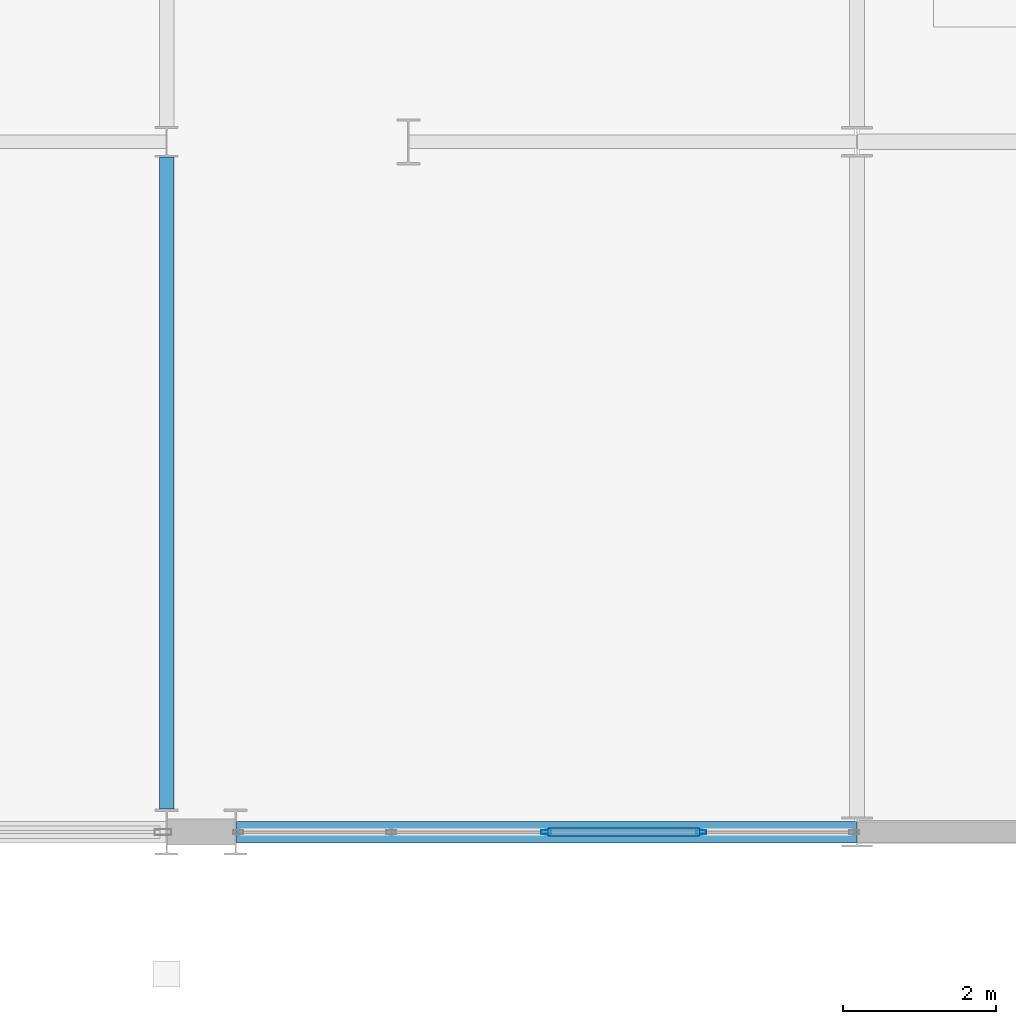
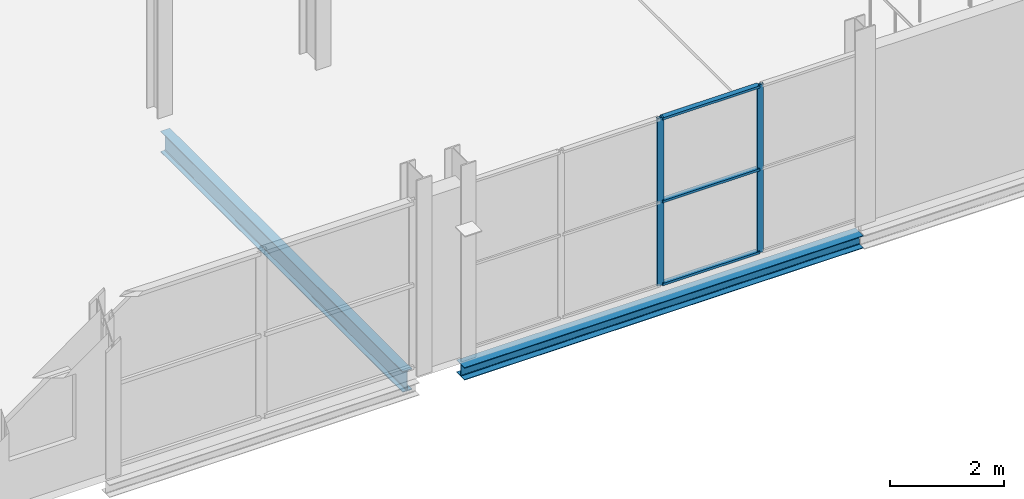
# One storey, part 36 of 88: 5 members, 2 beams, 1 element without a shape of its own.
"""IFC4 building model written with IfcOpenShell, lengths in metres."""

from ifc_helpers import new_model, si_unit, direction, frame, origin, origin_2d, place, context, subcontext, project, spatial, hollow_rectangle, i_section, extrude, material, layer, layer_set, material_profile, profile_set, type_object, element, aggregate, save


model = new_model("IFC4")

# Units and contexts
model_context = context("Model", 3, precision=1e-05, world=origin(), true_north=direction((0.0, 1.0)))
body_context = subcontext(model_context, "Body", "Model", "MODEL_VIEW")
ifc_project = project(units=[si_unit("LENGTHUNIT", "METRE"), si_unit("AREAUNIT", "SQUARE_METRE"), si_unit("VOLUMEUNIT", "CUBIC_METRE"), si_unit("PLANEANGLEUNIT", "RADIAN"), si_unit("MASSUNIT", "GRAM", prefix="KILO")], contexts=[model_context])

# Site, building, storey
site_placement = place(None, origin())
site = spatial("IfcSite", under=ifc_project, at=site_placement, CompositionType="ELEMENT")
building_placement = place(site_placement, origin())
building = spatial("IfcBuilding", under=site, at=building_placement, Name="Deido Ridge Mobility Hub", CompositionType="ELEMENT")
storey_placement = place(building_placement, frame((0.0, 0.0, 16.800048828125)))
storey = spatial("IfcBuildingStorey", under=building, at=storey_placement, Name="L04", CompositionType="ELEMENT", Elevation=16.800048828125)

# Beam
ifc_material_1 = material(Name="Steel S355J2 EN 10025-2", Category="steel")
ifc_material_profile_1 = material_profile(ifc_material_1, i_section(OverallWidth=0.18994140625, OverallDepth=0.449951171875, WebThickness=0.009521484375, FlangeThickness=0.0146484375, FilletRadius=0.02099609375, at=origin_2d()), Name="IPE 450")
ifc_profile_set_1 = profile_set([ifc_material_profile_1], Name="Steel S355J2 EN 10025-2")
beam_type_1 = type_object("IfcBeamType", Name="BM-IPE450", PredefinedType="BEAM", material=ifc_profile_set_1)
beam_1_placement = place(storey_placement, frame((135.0, 0.300048828125, -0.5), z_axis=(0.0, 1.0, 0.0), x_axis=(-1.0, 0.0, 0.0)))
element("IfcBeam", 1, at=beam_1_placement, inside=storey, type_object=beam_type_1, Name="Floor beam B4", PredefinedType="BEAM", context=body_context, shape_type="SweptSolid", body=[
    extrude(i_section(OverallWidth=0.18994140625, OverallDepth=0.449951171875, WebThickness=0.009521484375, FlangeThickness=0.0146484375, FilletRadius=0.02099609375, at=origin_2d()), origin(), (0.0, 0.0, 1.0), 8.5),
])

# Curtain wall, members
ifc_material_2 = material(Name="Anodised aluminium EN AW-6063 T6", Category="aluminium")
ifc_layer = layer(ifc_material_2, 0.1650390625, Name="Anodised aluminium EN AW-6063 T6")
ifc_layer_set = layer_set([ifc_layer], Name="Anodised aluminium EN AW-6063 T6")
curtain_wall_type = type_object("IfcCurtainWallType", Name="CW-UF-1", PredefinedType="USERDEFINED", material=ifc_layer_set)
curtain_wall_placement = place(storey_placement, origin())
curtain_wall = element("IfcCurtainWall", 2, at=curtain_wall_placement, inside=storey, type_object=curtain_wall_type, Name="Unitised curtain wall CW1", ObjectType="UNITISED FACADE", PredefinedType="USERDEFINED")
ifc_material_profile_2 = material_profile(ifc_material_2, hollow_rectangle(XDim=0.050048828125, YDim=0.1298828125, WallThickness=0.00390625, at=origin_2d()), Name="RHS 50x130x4")
ifc_profile_set_2 = profile_set([ifc_material_profile_2], Name="Anodised aluminium EN AW-6063 T6")
member_type_1 = type_object("IfcMemberType", Name="MEM-MUL-50X130", PredefinedType="MULLION", material=ifc_profile_set_2)
member_1_placement = place(storey_placement, frame((139.949462890625, 0.0, 0.0), z_axis=(0.0, 0.0, 1.0), x_axis=(0.0, 1.0, 0.0)))
member_1 = element("IfcMember", 3, at=member_1_placement, type_object=member_type_1, Name="CW1 mullion 3", PredefinedType="MULLION", context=body_context, shape_type="SweptSolid", body=[
    extrude(hollow_rectangle(XDim=0.050048828125, YDim=0.1298828125, WallThickness=0.00390625, at=origin_2d()), origin(), (0.0, 0.0, 1.0), 3.599853515625),
])
member_2_placement = place(storey_placement, frame((141.970458984375, 0.0, 0.0), z_axis=(0.0, 0.0, 1.0), x_axis=(0.0, 1.0, 0.0)))
member_2 = element("IfcMember", 4, at=member_2_placement, type_object=member_type_1, Name="CW1 mullion 4", PredefinedType="MULLION", context=body_context, shape_type="SweptSolid", body=[
    extrude(hollow_rectangle(XDim=0.050048828125, YDim=0.1298828125, WallThickness=0.00390625, at=origin_2d()), origin(), (0.0, 0.0, 1.0), 3.599853515625),
])
ifc_material_profile_3 = material_profile(ifc_material_2, hollow_rectangle(XDim=0.10498046875, YDim=0.050048828125, WallThickness=0.00390625, at=origin_2d()), Name="RHS 105x50x4")
ifc_profile_set_3 = profile_set([ifc_material_profile_3], Name="Anodised aluminium EN AW-6063 T6")
member_type_2 = type_object("IfcMemberType", Name="MEM-TRN-105X50", PredefinedType="USERDEFINED", material=ifc_profile_set_3)
member_3_placement = place(storey_placement, frame((139.974609375, 0.0, 0.02490234375), z_axis=(1.0, 0.0, 0.0), x_axis=(0.0, 1.0, 0.0)))
member_3 = element("IfcMember", 5, at=member_3_placement, type_object=member_type_2, Name="CW1 transom 3.1", ObjectType="TRANSOM", PredefinedType="USERDEFINED", context=body_context, shape_type="SweptSolid", body=[
    extrude(hollow_rectangle(XDim=0.10498046875, YDim=0.050048828125, WallThickness=0.00390625, at=origin_2d()), origin(), (0.0, 0.0, 1.0), 1.970703125),
])
member_4_placement = place(storey_placement, frame((139.974609375, 0.0, 1.800048828125), z_axis=(1.0, 0.0, 0.0), x_axis=(0.0, 1.0, 0.0)))
member_4 = element("IfcMember", 6, at=member_4_placement, type_object=member_type_2, Name="CW1 transom 3.2", ObjectType="TRANSOM", PredefinedType="USERDEFINED", context=body_context, shape_type="SweptSolid", body=[
    extrude(hollow_rectangle(XDim=0.10498046875, YDim=0.050048828125, WallThickness=0.00390625, at=origin_2d()), origin(), (0.0, 0.0, 1.0), 1.970703125),
])
member_5_placement = place(storey_placement, frame((139.974609375, 0.0, 3.574951171875), z_axis=(1.0, 0.0, 0.0), x_axis=(0.0, 1.0, 0.0)))
member_5 = element("IfcMember", 7, at=member_5_placement, type_object=member_type_2, Name="CW1 transom 3.3", ObjectType="TRANSOM", PredefinedType="USERDEFINED", context=body_context, shape_type="SweptSolid", body=[
    extrude(hollow_rectangle(XDim=0.10498046875, YDim=0.050048828125, WallThickness=0.00390625, at=origin_2d()), origin(), (0.0, 0.0, 1.0), 1.970703125),
])
aggregate(curtain_wall, [member_1, member_2, member_3, member_4, member_5])

# Beam
ifc_material_profile_4 = material_profile(ifc_material_1, i_section(OverallWidth=0.280029296875, OverallDepth=0.27001953125, WebThickness=0.008056640625, FlangeThickness=0.012939453125, FilletRadius=0.02392578125, at=origin_2d()), Name="HEA 280")
ifc_profile_set_4 = profile_set([ifc_material_profile_4], Name="Steel S355J2 EN 10025-2")
beam_type_2 = type_object("IfcBeamType", Name="SPD-HEA280", PredefinedType="SPANDREL", material=ifc_profile_set_4)
beam_2_placement = place(storey_placement, frame((135.90771484375, 0.0, -0.41015625), z_axis=(1.0, 0.0, 0.0), x_axis=(0.0, 1.0, 0.0)))
element("IfcBeam", 8, at=beam_2_placement, inside=storey, type_object=beam_type_2, Name="Floor beam SP2", PredefinedType="SPANDREL", context=body_context, shape_type="SweptSolid", body=[
    extrude(i_section(OverallWidth=0.280029296875, OverallDepth=0.27001953125, WebThickness=0.008056640625, FlangeThickness=0.012939453125, FilletRadius=0.02392578125, at=origin_2d()), origin(), (0.0, 0.0, 1.0), 8.08349609375),
])

save(model, "model.ifc")
